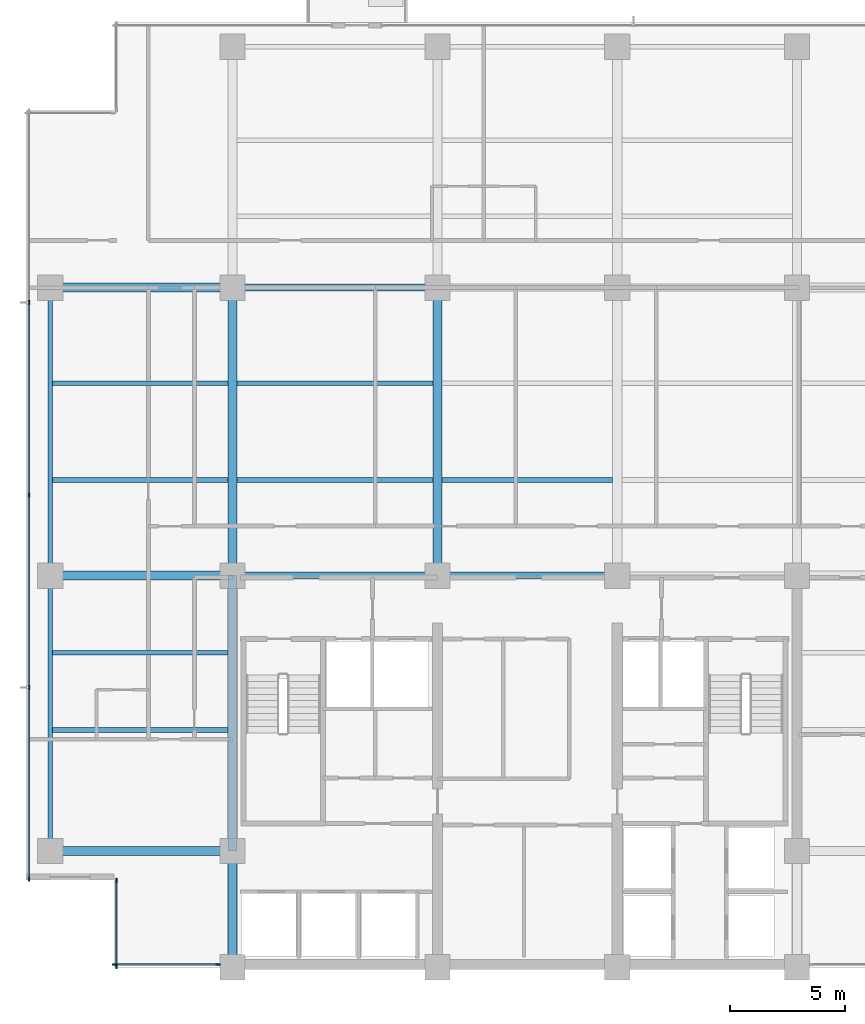
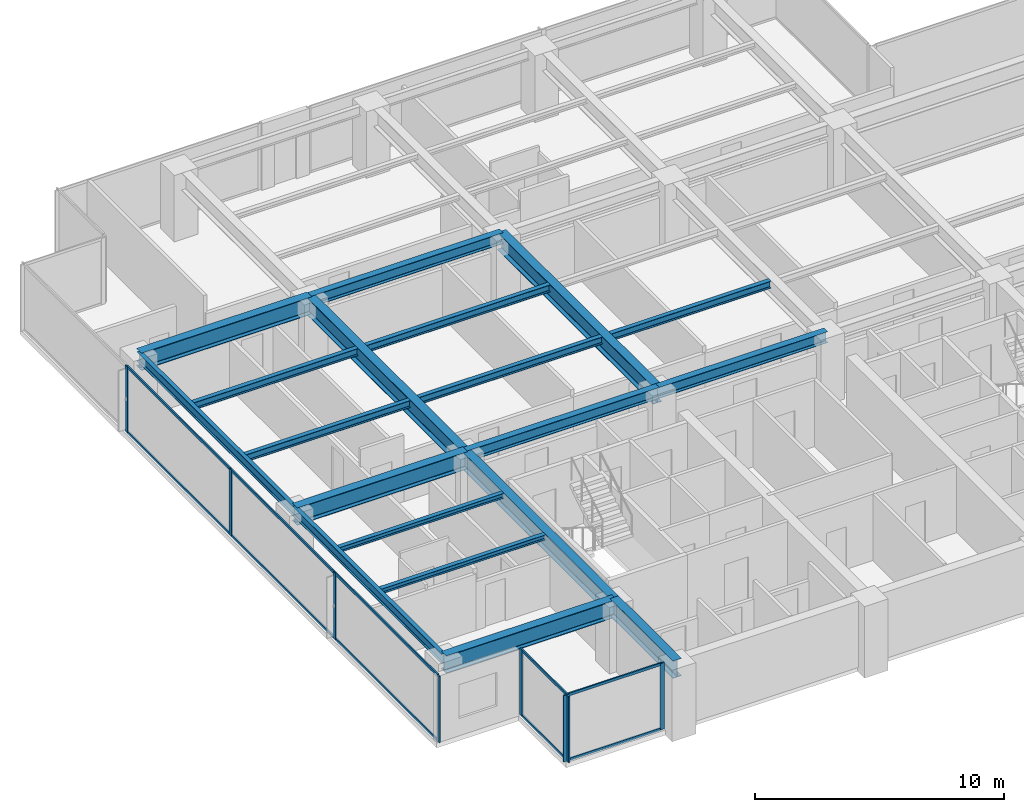
# One storey, part 2 of 14: 19 beams, 18 members, 3 elements without a shape of their own.
"""IFC4 building model written with IfcOpenShell, lengths in metres."""

from ifc_helpers import new_model, si_unit, direction, frame, origin, origin_2d, place, context, subcontext, project, spatial, rectangle, i_section, extrude, material, layer, layer_set, material_profile, profile_set, type_object, element, aggregate, save


model = new_model("IFC4")

# Units and contexts
model_context = context("Model", 3, precision=1e-05, world=origin(), true_north=direction((0.0, 1.0)))
body_context = subcontext(model_context, "Body", "Model", "MODEL_VIEW")
ifc_project = project(units=[si_unit("LENGTHUNIT", "METRE"), si_unit("AREAUNIT", "SQUARE_METRE"), si_unit("VOLUMEUNIT", "CUBIC_METRE"), si_unit("PLANEANGLEUNIT", "RADIAN"), si_unit("MASSUNIT", "GRAM", prefix="KILO")], contexts=[model_context])

# Site, building, storey
site_placement = place(None, origin())
site = spatial("IfcSite", under=ifc_project, at=site_placement, CompositionType="ELEMENT")
building_placement = place(site_placement, origin())
building = spatial("IfcBuilding", under=site, at=building_placement, Name="Qalmaran Belvedere Hotel", CompositionType="ELEMENT")
storey_placement = place(building_placement, frame((0.0, 0.0, 177.10009765625)))
storey = spatial("IfcBuildingStorey", under=building, at=storey_placement, Name="L45", CompositionType="ELEMENT", Elevation=177.10009765625)

# Beams
ifc_material_1 = material(Name="Steel S355JR", Category="steel")
ifc_material_profile_1 = material_profile(ifc_material_1, i_section(OverallWidth=0.201904296875, OverallDepth=0.2470703125, WebThickness=0.00732421875, FlangeThickness=0.010986328125, FilletRadius=0.011962890625, at=origin_2d()), Name="W250X49")
ifc_profile_set_1 = profile_set([ifc_material_profile_1], Name="Steel S355JR")
beam_type_1 = type_object("IfcBeamType", Name="BM-JST-W250X49", PredefinedType="JOIST", material=ifc_profile_set_1)
for number, where, z_axis, x_axis, name in (
    (1, (12.493896484375, 13.800048828125, 3.12646484375), (1.0, 0.0, 0.0), (0.0, 1.0, 0.0), "L45 West Wing Joist 038"),
    (2, (12.493896484375, 17.14990234375, 3.12646484375), (1.0, 0.0, 0.0), (0.0, 1.0, 0.0), "L45 West Wing Joist 040"),
):
    element("IfcBeam", number, at=place(storey_placement, frame(where, z_axis=z_axis, x_axis=x_axis)), inside=storey, type_object=beam_type_1, Name=name, PredefinedType="JOIST", context=body_context, shape_type="SweptSolid", body=[
        extrude(i_section(OverallWidth=0.201904296875, OverallDepth=0.2470703125, WebThickness=0.00732421875, FlangeThickness=0.010986328125, FilletRadius=0.011962890625, at=origin_2d()), origin(), (0.0, 0.0, 1.0), 7.608154296875),
    ])
ifc_material_profile_2 = material_profile(ifc_material_1, i_section(OverallWidth=0.39990234375, OverallDepth=0.85498046875, WebThickness=0.018310546875, FlangeThickness=0.029296875, FilletRadius=0.02392578125, at=origin_2d()), Name="W840X299")
ifc_profile_set_2 = profile_set([ifc_material_profile_2], Name="Steel S355JR")
beam_type_2 = type_object("IfcBeamType", Name="BM-PG3-W840X299", PredefinedType="USERDEFINED", material=ifc_profile_set_2)
for number, where, z_axis, x_axis, name in (
    (3, (20.300048828125, 20.5, 2.822509765625), (0.0, 1.0, 0.0), (-1.0, 0.0, 0.0), "L45 Mid-Plate N-S Girder 14"),
    (4, (29.199951171875, 20.5, 2.822509765625), (0.0, 1.0, 0.0), (-1.0, 0.0, 0.0), "L45 Mid-Plate N-S Girder 16"),
):
    element("IfcBeam", number, at=place(storey_placement, frame(where, z_axis=z_axis, x_axis=x_axis)), inside=storey, type_object=beam_type_2, Name=name, ObjectType="GIRDER", PredefinedType="USERDEFINED", context=body_context, shape_type="SweptSolid", body=[
        extrude(i_section(OverallWidth=0.39990234375, OverallDepth=0.85498046875, WebThickness=0.018310546875, FlangeThickness=0.029296875, FilletRadius=0.02392578125, at=origin_2d()), origin(), (0.0, 0.0, 1.0), 12.5),
    ])
for number, where, z_axis, x_axis, name in (
    (5, (12.39990234375, 8.550048828125, 2.822509765625), (1.0, 0.0, 0.0), (0.0, 1.0, 0.0), "L45 West Wing Girder 22"),
    (6, (12.39990234375, 20.5, 2.822509765625), (1.0, 0.0, 0.0), (0.0, 1.0, 0.0), "L45 West Wing Girder 23"),
    (7, (12.39990234375, 33.0, 2.822509765625), (1.0, 0.0, 0.0), (0.0, 1.0, 0.0), "L45 West Wing Girder 24"),
):
    element("IfcBeam", number, at=place(storey_placement, frame(where, z_axis=z_axis, x_axis=x_axis)), inside=storey, type_object=beam_type_2, Name=name, ObjectType="GIRDER", PredefinedType="USERDEFINED", context=body_context, shape_type="SweptSolid", body=[
        extrude(i_section(OverallWidth=0.39990234375, OverallDepth=0.85498046875, WebThickness=0.018310546875, FlangeThickness=0.029296875, FilletRadius=0.02392578125, at=origin_2d()), origin(), (0.0, 0.0, 1.0), 7.900146484375),
    ])
beam_1_placement = place(storey_placement, frame((20.300048828125, 3.5, 2.822509765625), z_axis=(0.0, 1.0, 0.0), x_axis=(-1.0, 0.0, 0.0)))
element("IfcBeam", 8, at=beam_1_placement, inside=storey, type_object=beam_type_2, Name="L45 West Core Edge Girder A", ObjectType="GIRDER", PredefinedType="USERDEFINED", context=body_context, shape_type="SweptSolid", body=[
    extrude(i_section(OverallWidth=0.39990234375, OverallDepth=0.85498046875, WebThickness=0.018310546875, FlangeThickness=0.029296875, FilletRadius=0.02392578125, at=origin_2d()), origin(), (0.0, 0.0, 1.0), 5.050048828125),
])
beam_2_placement = place(storey_placement, frame((20.300048828125, 8.550048828125, 2.822509765625), z_axis=(0.0, 1.0, 0.0), x_axis=(-1.0, 0.0, 0.0)))
element("IfcBeam", 9, at=beam_2_placement, inside=storey, type_object=beam_type_2, Name="L45 West Core Edge Girder B", ObjectType="GIRDER", PredefinedType="USERDEFINED", context=body_context, shape_type="SweptSolid", body=[
    extrude(i_section(OverallWidth=0.39990234375, OverallDepth=0.85498046875, WebThickness=0.018310546875, FlangeThickness=0.029296875, FilletRadius=0.02392578125, at=origin_2d()), origin(), (0.0, 0.0, 1.0), 11.949951171875),
])
ifc_material_profile_3 = material_profile(ifc_material_1, i_section(OverallWidth=0.205078125, OverallDepth=0.35400390625, WebThickness=0.009521484375, FlangeThickness=0.016845703125, FilletRadius=0.014892578125, at=origin_2d()), Name="W360X79")
ifc_profile_set_3 = profile_set([ifc_material_profile_3], Name="Steel S355JR")
beam_type_3 = type_object("IfcBeamType", Name="BM-SB3-W360X79", PredefinedType="BEAM", material=ifc_profile_set_3)
beam_3_placement = place(storey_placement, frame((12.493896484375, 24.64990234375, 3.072998046875), z_axis=(1.0, 0.0, 0.0), x_axis=(0.0, 1.0, 0.0)))
element("IfcBeam", 10, at=beam_3_placement, inside=storey, type_object=beam_type_3, Name="L45 West Secondary Beam 028", PredefinedType="BEAM", context=body_context, shape_type="SweptSolid", body=[
    extrude(i_section(OverallWidth=0.205078125, OverallDepth=0.35400390625, WebThickness=0.009521484375, FlangeThickness=0.016845703125, FilletRadius=0.014892578125, at=origin_2d()), origin(), (0.0, 0.0, 1.0), 7.608154296875),
])
beam_4_placement = place(storey_placement, frame((20.498046875, 24.64990234375, 3.072998046875), z_axis=(1.0, 0.0, 0.0), x_axis=(0.0, 1.0, 0.0)))
element("IfcBeam", 11, at=beam_4_placement, inside=storey, type_object=beam_type_3, Name="L45 Secondary Floor Beam 029", PredefinedType="BEAM", context=body_context, shape_type="SweptSolid", body=[
    extrude(i_section(OverallWidth=0.205078125, OverallDepth=0.35400390625, WebThickness=0.009521484375, FlangeThickness=0.016845703125, FilletRadius=0.014892578125, at=origin_2d()), origin(), (0.0, 0.0, 1.0), 8.50390625),
])
beam_5_placement = place(storey_placement, frame((29.39794921875, 24.64990234375, 3.072998046875), z_axis=(1.0, 0.0, 0.0), x_axis=(0.0, 1.0, 0.0)))
element("IfcBeam", 12, at=beam_5_placement, inside=storey, type_object=beam_type_3, Name="L45 Secondary Floor Beam 030", PredefinedType="BEAM", context=body_context, shape_type="SweptSolid", body=[
    extrude(i_section(OverallWidth=0.205078125, OverallDepth=0.35400390625, WebThickness=0.009521484375, FlangeThickness=0.016845703125, FilletRadius=0.014892578125, at=origin_2d()), origin(), (0.0, 0.0, 1.0), 7.404052734375),
])
beam_6_placement = place(storey_placement, frame((12.493896484375, 28.85009765625, 3.072998046875), z_axis=(1.0, 0.0, 0.0), x_axis=(0.0, 1.0, 0.0)))
element("IfcBeam", 13, at=beam_6_placement, inside=storey, type_object=beam_type_3, Name="L45 West Secondary Beam 033", PredefinedType="BEAM", context=body_context, shape_type="SweptSolid", body=[
    extrude(i_section(OverallWidth=0.205078125, OverallDepth=0.35400390625, WebThickness=0.009521484375, FlangeThickness=0.016845703125, FilletRadius=0.014892578125, at=origin_2d()), origin(), (0.0, 0.0, 1.0), 7.608154296875),
])
beam_7_placement = place(storey_placement, frame((20.498046875, 28.85009765625, 3.072998046875), z_axis=(1.0, 0.0, 0.0), x_axis=(0.0, 1.0, 0.0)))
element("IfcBeam", 14, at=beam_7_placement, inside=storey, type_object=beam_type_3, Name="L45 Secondary Floor Beam 034", PredefinedType="BEAM", context=body_context, shape_type="SweptSolid", body=[
    extrude(i_section(OverallWidth=0.205078125, OverallDepth=0.35400390625, WebThickness=0.009521484375, FlangeThickness=0.016845703125, FilletRadius=0.014892578125, at=origin_2d()), origin(), (0.0, 0.0, 1.0), 8.50390625),
])
ifc_material_profile_4 = material_profile(ifc_material_1, i_section(OverallWidth=0.19189453125, OverallDepth=0.462890625, WebThickness=0.010498046875, FlangeThickness=0.017578125, FilletRadius=0.01611328125, at=origin_2d()), Name="W460X89")
ifc_profile_set_4 = profile_set([ifc_material_profile_4], Name="Steel S355JR")
beam_type_4 = type_object("IfcBeamType", Name="BM-SP2-W460X89", PredefinedType="SPANDREL", material=ifc_profile_set_4)
beam_8_placement = place(storey_placement, frame((12.39990234375, 8.550048828125, 3.018310546875), z_axis=(0.0, 1.0, 0.0), x_axis=(-1.0, 0.0, 0.0)))
element("IfcBeam", 15, at=beam_8_placement, inside=storey, type_object=beam_type_4, Name="L45 Perimeter Spandrel 01", PredefinedType="SPANDREL", context=body_context, shape_type="SweptSolid", body=[
    extrude(i_section(OverallWidth=0.19189453125, OverallDepth=0.462890625, WebThickness=0.010498046875, FlangeThickness=0.017578125, FilletRadius=0.01611328125, at=origin_2d()), origin(), (0.0, 0.0, 1.0), 11.949951171875),
])
beam_9_placement = place(storey_placement, frame((12.39990234375, 20.5, 3.018310546875), z_axis=(0.0, 1.0, 0.0), x_axis=(-1.0, 0.0, 0.0)))
element("IfcBeam", 16, at=beam_9_placement, inside=storey, type_object=beam_type_4, Name="L45 Perimeter Spandrel 02", PredefinedType="SPANDREL", context=body_context, shape_type="SweptSolid", body=[
    extrude(i_section(OverallWidth=0.19189453125, OverallDepth=0.462890625, WebThickness=0.010498046875, FlangeThickness=0.017578125, FilletRadius=0.01611328125, at=origin_2d()), origin(), (0.0, 0.0, 1.0), 12.5),
])
ifc_material_profile_5 = material_profile(ifc_material_1, i_section(OverallWidth=0.31201171875, OverallDepth=0.54296875, WebThickness=0.0126953125, FlangeThickness=0.020263671875, FilletRadius=0.01806640625, at=origin_2d()), Name="W530X150")
ifc_profile_set_5 = profile_set([ifc_material_profile_5], Name="Steel S355JR")
beam_type_5 = type_object("IfcBeamType", Name="BM-Z3-W530X150", PredefinedType="USERDEFINED", material=ifc_profile_set_5)
beam_10_placement = place(storey_placement, frame((20.300048828125, 20.5, 2.978515625), z_axis=(1.0, 0.0, 0.0), x_axis=(0.0, 1.0, 0.0)))
element("IfcBeam", 17, at=beam_10_placement, inside=storey, type_object=beam_type_5, Name="L45 Interior E-W Girder 08", ObjectType="GIRDER", PredefinedType="USERDEFINED", context=body_context, shape_type="SweptSolid", body=[
    extrude(i_section(OverallWidth=0.31201171875, OverallDepth=0.54296875, WebThickness=0.0126953125, FlangeThickness=0.020263671875, FilletRadius=0.01806640625, at=origin_2d()), origin(), (0.0, 0.0, 1.0), 8.89990234375),
])
beam_11_placement = place(storey_placement, frame((29.199951171875, 20.5, 2.978515625), z_axis=(1.0, 0.0, 0.0), x_axis=(0.0, 1.0, 0.0)))
element("IfcBeam", 18, at=beam_11_placement, inside=storey, type_object=beam_type_5, Name="L45 Interior E-W Girder 09", ObjectType="GIRDER", PredefinedType="USERDEFINED", context=body_context, shape_type="SweptSolid", body=[
    extrude(i_section(OverallWidth=0.31201171875, OverallDepth=0.54296875, WebThickness=0.0126953125, FlangeThickness=0.020263671875, FilletRadius=0.01806640625, at=origin_2d()), origin(), (0.0, 0.0, 1.0), 7.800048828125),
])
beam_12_placement = place(storey_placement, frame((20.300048828125, 33.0, 2.978515625), z_axis=(1.0, 0.0, 0.0), x_axis=(0.0, 1.0, 0.0)))
element("IfcBeam", 19, at=beam_12_placement, inside=storey, type_object=beam_type_5, Name="L45 Interior E-W Girder 11", ObjectType="GIRDER", PredefinedType="USERDEFINED", context=body_context, shape_type="SweptSolid", body=[
    extrude(i_section(OverallWidth=0.31201171875, OverallDepth=0.54296875, WebThickness=0.0126953125, FlangeThickness=0.020263671875, FilletRadius=0.01806640625, at=origin_2d()), origin(), (0.0, 0.0, 1.0), 8.89990234375),
])

# Curtain wall, members
ifc_material_2 = material(Name="Anodised Bronze Aluminium", Category="aluminium")
ifc_layer = layer(ifc_material_2, 0.195068359375, Name="Anodised Bronze Aluminium")
ifc_layer_set = layer_set([ifc_layer], Name="Anodised Bronze Aluminium")
curtain_wall_type = type_object("IfcCurtainWallType", Name="CW4-TOWER-HIGHMID", PredefinedType="NOTDEFINED", material=ifc_layer_set)
curtain_wall_1_placement = place(storey_placement, origin())
curtain_wall_1 = element("IfcCurtainWall", 20, at=curtain_wall_1_placement, inside=storey, type_object=curtain_wall_type, Name="L45 Curtain Wall CW4", PredefinedType="NOTDEFINED")
ifc_material_profile_6 = material_profile(ifc_material_2, rectangle(XDim=0.070068359375, YDim=0.18994140625, at=origin_2d()), Name="CWM70X190")
ifc_profile_set_6 = profile_set([ifc_material_profile_6], Name="Anodised Bronze Aluminium")
member_type_1 = type_object("IfcMemberType", Name="CWM-70X190", PredefinedType="MULLION", material=ifc_profile_set_6)
member_1_placement = place(storey_placement, frame((15.18505859375, 3.6201171875, 0.0), z_axis=(0.0, 0.0, 1.0), x_axis=(0.0, 1.0, 0.0)))
member_1 = element("IfcMember", 21, at=member_1_placement, type_object=member_type_1, Name="CW4 mullion 1", PredefinedType="MULLION", context=body_context, shape_type="SweptSolid", body=[
    extrude(rectangle(XDim=0.070068359375, YDim=0.18994140625, at=origin_2d()), origin(), (0.0, 0.0, 1.0), 3.25),
])
member_2_placement = place(storey_placement, frame((19.675048828125, 3.6201171875, 0.0), z_axis=(0.0, 0.0, 1.0), x_axis=(0.0, 1.0, 0.0)))
member_2 = element("IfcMember", 22, at=member_2_placement, type_object=member_type_1, Name="CW4 mullion 2", PredefinedType="MULLION", context=body_context, shape_type="SweptSolid", body=[
    extrude(rectangle(XDim=0.070068359375, YDim=0.18994140625, at=origin_2d()), origin(), (0.0, 0.0, 1.0), 3.25),
])

curtain_wall_2_placement = place(storey_placement, origin())
curtain_wall_2 = element("IfcCurtainWall", 23, at=curtain_wall_2_placement, inside=storey, type_object=curtain_wall_type, Name="L45 Curtain Wall CW4", PredefinedType="NOTDEFINED")
member_3_placement = place(storey_placement, frame((11.469970703125, 32.35009765625, 0.0), z_axis=(0.0, 0.0, 1.0), x_axis=(1.0, 0.0, 0.0)))
member_3 = element("IfcMember", 24, at=member_3_placement, type_object=member_type_1, Name="CW4 mullion 2", PredefinedType="MULLION", context=body_context, shape_type="SweptSolid", body=[
    extrude(rectangle(XDim=0.070068359375, YDim=0.18994140625, at=origin_2d()), origin(), (0.0, 0.0, 1.0), 3.25),
])
member_4_placement = place(storey_placement, frame((11.469970703125, 24.0, 0.0), z_axis=(0.0, 0.0, 1.0), x_axis=(1.0, 0.0, 0.0)))
member_4 = element("IfcMember", 25, at=member_4_placement, type_object=member_type_1, Name="CW4 mullion 3", PredefinedType="MULLION", context=body_context, shape_type="SweptSolid", body=[
    extrude(rectangle(XDim=0.070068359375, YDim=0.18994140625, at=origin_2d()), origin(), (0.0, 0.0, 1.0), 3.25),
])
member_5_placement = place(storey_placement, frame((11.469970703125, 15.64990234375, 0.0), z_axis=(0.0, 0.0, 1.0), x_axis=(1.0, 0.0, 0.0)))
member_5 = element("IfcMember", 26, at=member_5_placement, type_object=member_type_1, Name="CW4 mullion 4", PredefinedType="MULLION", context=body_context, shape_type="SweptSolid", body=[
    extrude(rectangle(XDim=0.070068359375, YDim=0.18994140625, at=origin_2d()), origin(), (0.0, 0.0, 1.0), 3.25),
])
member_6_placement = place(storey_placement, frame((11.469970703125, 7.3349609375, 0.0), z_axis=(0.0, 0.0, 1.0), x_axis=(1.0, 0.0, 0.0)))
member_6 = element("IfcMember", 27, at=member_6_placement, type_object=member_type_1, Name="CW4 mullion 5", PredefinedType="MULLION", context=body_context, shape_type="SweptSolid", body=[
    extrude(rectangle(XDim=0.070068359375, YDim=0.18994140625, at=origin_2d()), origin(), (0.0, 0.0, 1.0), 3.25),
])

curtain_wall_3_placement = place(storey_placement, origin())
curtain_wall_3 = element("IfcCurtainWall", 28, at=curtain_wall_3_placement, inside=storey, type_object=curtain_wall_type, Name="L45 Curtain Wall CW4", PredefinedType="NOTDEFINED")
member_7_placement = place(storey_placement, frame((15.27001953125, 7.264892578125, 0.0), z_axis=(0.0, 0.0, 1.0), x_axis=(1.0, 0.0, 0.0)))
member_7 = element("IfcMember", 29, at=member_7_placement, type_object=member_type_1, Name="CW4 mullion 1", PredefinedType="MULLION", context=body_context, shape_type="SweptSolid", body=[
    extrude(rectangle(XDim=0.070068359375, YDim=0.18994140625, at=origin_2d()), origin(), (0.0, 0.0, 1.0), 3.25),
])
member_8_placement = place(storey_placement, frame((15.27001953125, 3.534912109375, 0.0), z_axis=(0.0, 0.0, 1.0), x_axis=(1.0, 0.0, 0.0)))
member_8 = element("IfcMember", 30, at=member_8_placement, type_object=member_type_1, Name="CW4 mullion 2", PredefinedType="MULLION", context=body_context, shape_type="SweptSolid", body=[
    extrude(rectangle(XDim=0.070068359375, YDim=0.18994140625, at=origin_2d()), origin(), (0.0, 0.0, 1.0), 3.25),
])

# Member
ifc_material_profile_7 = material_profile(ifc_material_2, rectangle(XDim=0.06494140625, YDim=0.1298828125, at=origin_2d()), Name="CWT65X130")
ifc_profile_set_7 = profile_set([ifc_material_profile_7], Name="Anodised Bronze Aluminium")
member_type_2 = type_object("IfcMemberType", Name="CWT-65X130", PredefinedType="USERDEFINED", material=ifc_profile_set_7)
member_9_placement = place(storey_placement, frame((15.219970703125, 3.6201171875, 0.032470703125), z_axis=(1.0, 0.0, 0.0), x_axis=(0.0, 1.0, 0.0)))
member_9 = element("IfcMember", 31, at=member_9_placement, type_object=member_type_2, Name="CW4 transom 1.1", ObjectType="TRANSOM", PredefinedType="USERDEFINED", context=body_context, shape_type="SweptSolid", body=[
    extrude(rectangle(XDim=0.06494140625, YDim=0.1298828125, at=origin_2d()), origin(), (0.0, 0.0, 1.0), 4.419921875),
])

member_10_placement = place(storey_placement, frame((15.219970703125, 3.6201171875, 3.21728515625), z_axis=(1.0, 0.0, 0.0), x_axis=(0.0, 1.0, 0.0)))
member_10 = element("IfcMember", 32, at=member_10_placement, type_object=member_type_2, Name="CW4 transom 1.2", ObjectType="TRANSOM", PredefinedType="USERDEFINED", context=body_context, shape_type="SweptSolid", body=[
    extrude(rectangle(XDim=0.06494140625, YDim=0.1298828125, at=origin_2d()), origin(), (0.0, 0.0, 1.0), 4.419921875),
])

aggregate(curtain_wall_1, [member_1, member_2, member_9, member_10])

member_11_placement = place(storey_placement, frame((11.469970703125, 32.31494140625, 0.032470703125), z_axis=(0.0, -1.0, 0.0), x_axis=(1.0, 0.0, 0.0)))
member_11 = element("IfcMember", 33, at=member_11_placement, type_object=member_type_2, Name="CW4 transom 2.1", ObjectType="TRANSOM", PredefinedType="USERDEFINED", context=body_context, shape_type="SweptSolid", body=[
    extrude(rectangle(XDim=0.06494140625, YDim=0.1298828125, at=origin_2d()), origin(), (0.0, 0.0, 1.0), 8.280029296875),
])

member_12_placement = place(storey_placement, frame((11.469970703125, 32.31494140625, 3.21728515625), z_axis=(0.0, -1.0, 0.0), x_axis=(1.0, 0.0, 0.0)))
member_12 = element("IfcMember", 34, at=member_12_placement, type_object=member_type_2, Name="CW4 transom 2.2", ObjectType="TRANSOM", PredefinedType="USERDEFINED", context=body_context, shape_type="SweptSolid", body=[
    extrude(rectangle(XDim=0.06494140625, YDim=0.1298828125, at=origin_2d()), origin(), (0.0, 0.0, 1.0), 8.280029296875),
])

member_13_placement = place(storey_placement, frame((11.469970703125, 23.965087890625, 0.032470703125), z_axis=(0.0, -1.0, 0.0), x_axis=(1.0, 0.0, 0.0)))
member_13 = element("IfcMember", 35, at=member_13_placement, type_object=member_type_2, Name="CW4 transom 3.1", ObjectType="TRANSOM", PredefinedType="USERDEFINED", context=body_context, shape_type="SweptSolid", body=[
    extrude(rectangle(XDim=0.06494140625, YDim=0.1298828125, at=origin_2d()), origin(), (0.0, 0.0, 1.0), 8.280029296875),
])

member_14_placement = place(storey_placement, frame((11.469970703125, 23.965087890625, 3.21728515625), z_axis=(0.0, -1.0, 0.0), x_axis=(1.0, 0.0, 0.0)))
member_14 = element("IfcMember", 36, at=member_14_placement, type_object=member_type_2, Name="CW4 transom 3.2", ObjectType="TRANSOM", PredefinedType="USERDEFINED", context=body_context, shape_type="SweptSolid", body=[
    extrude(rectangle(XDim=0.06494140625, YDim=0.1298828125, at=origin_2d()), origin(), (0.0, 0.0, 1.0), 8.280029296875),
])

member_15_placement = place(storey_placement, frame((11.469970703125, 15.614990234375, 0.032470703125), z_axis=(0.0, -1.0, 0.0), x_axis=(1.0, 0.0, 0.0)))
member_15 = element("IfcMember", 37, at=member_15_placement, type_object=member_type_2, Name="CW4 transom 4.1", ObjectType="TRANSOM", PredefinedType="USERDEFINED", context=body_context, shape_type="SweptSolid", body=[
    extrude(rectangle(XDim=0.06494140625, YDim=0.1298828125, at=origin_2d()), origin(), (0.0, 0.0, 1.0), 8.244873046875),
])

member_16_placement = place(storey_placement, frame((11.469970703125, 15.614990234375, 3.21728515625), z_axis=(0.0, -1.0, 0.0), x_axis=(1.0, 0.0, 0.0)))
member_16 = element("IfcMember", 38, at=member_16_placement, type_object=member_type_2, Name="CW4 transom 4.2", ObjectType="TRANSOM", PredefinedType="USERDEFINED", context=body_context, shape_type="SweptSolid", body=[
    extrude(rectangle(XDim=0.06494140625, YDim=0.1298828125, at=origin_2d()), origin(), (0.0, 0.0, 1.0), 8.244873046875),
])

aggregate(curtain_wall_2, [member_3, member_4, member_5, member_6, member_11, member_12, member_13, member_14, member_15, member_16])

member_17_placement = place(storey_placement, frame((15.27001953125, 7.22998046875, 0.032470703125), z_axis=(0.0, -1.0, 0.0), x_axis=(1.0, 0.0, 0.0)))
member_17 = element("IfcMember", 39, at=member_17_placement, type_object=member_type_2, Name="CW4 transom 1.1", ObjectType="TRANSOM", PredefinedType="USERDEFINED", context=body_context, shape_type="SweptSolid", body=[
    extrude(rectangle(XDim=0.06494140625, YDim=0.1298828125, at=origin_2d()), origin(), (0.0, 0.0, 1.0), 3.659912109375),
])

member_18_placement = place(storey_placement, frame((15.27001953125, 7.22998046875, 3.21728515625), z_axis=(0.0, -1.0, 0.0), x_axis=(1.0, 0.0, 0.0)))
member_18 = element("IfcMember", 40, at=member_18_placement, type_object=member_type_2, Name="CW4 transom 1.2", ObjectType="TRANSOM", PredefinedType="USERDEFINED", context=body_context, shape_type="SweptSolid", body=[
    extrude(rectangle(XDim=0.06494140625, YDim=0.1298828125, at=origin_2d()), origin(), (0.0, 0.0, 1.0), 3.659912109375),
])

aggregate(curtain_wall_3, [member_7, member_8, member_17, member_18])

save(model, "model.ifc")
